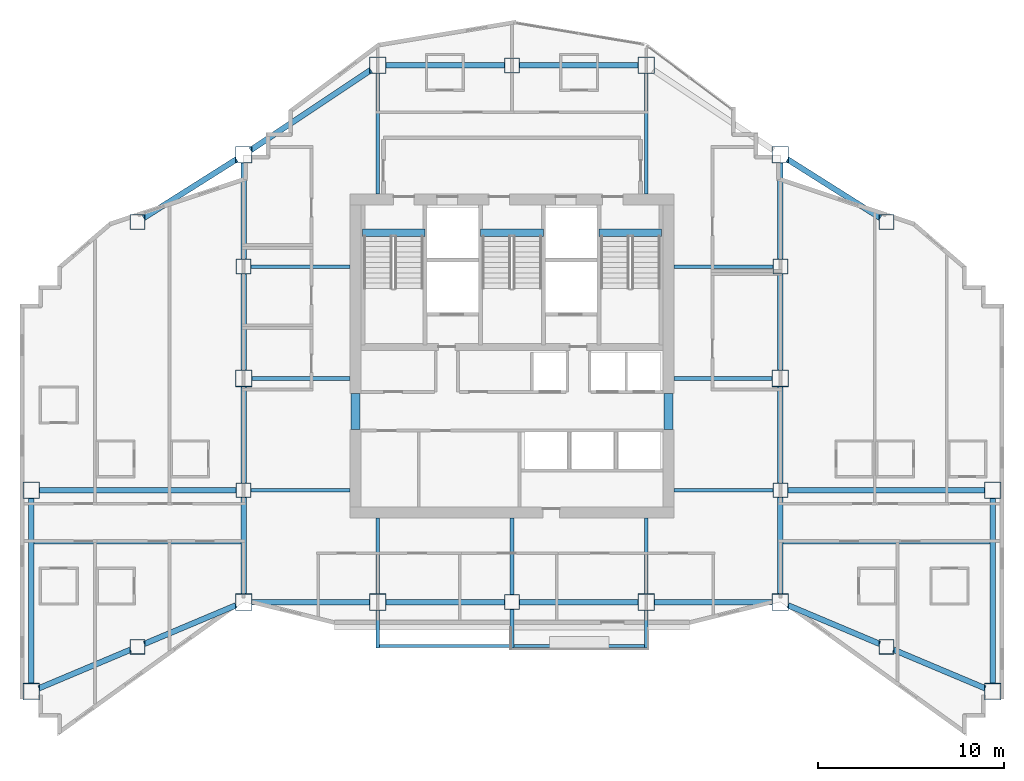
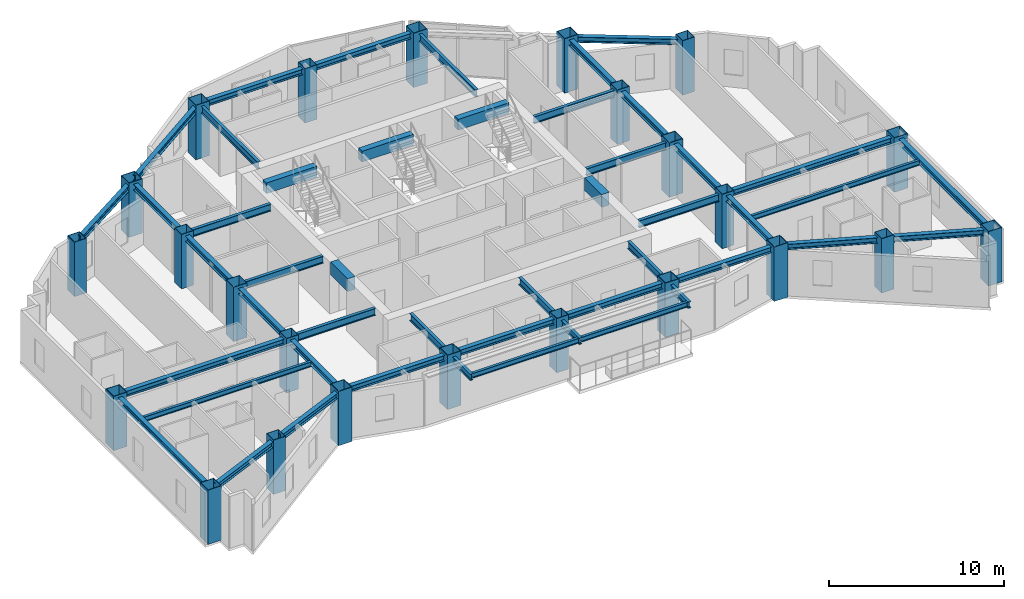
# One storey, part 1 of 11: 48 beams, 24 columns.
"""IFC4 building model written with IfcOpenShell, lengths in metres."""

import ifcopenshell
import ifcopenshell.guid

model = None  # the IFC model being written
_history = None  # IfcOwnerHistory: only IFC2X3 demands one
_inside = {}  # id of a spatial element -> (the spatial element, [elements in it])
_under = {}  # id of a project, library or spatial element -> (it, [spatial elements below it])
_declared = {}  # id of a project -> (the project, [libraries it declares])
_typed = {}  # id of a type object -> (the type object, [elements of that type])
_made_of = {}  # id of a material, layer set ... -> (it, [elements and type objects made of it])


def new_model(schema):
    """Start an empty IFC model of exactly this schema.

    Asked for "IFC4X3", IfcOpenShell would pick the latest addendum, in which some entities
    have other attributes; the version numbers below select the first issue.
    IFC2X3 requires an IfcOwnerHistory on every rooted entity: one is made here for all.
    """
    global model, _history
    if schema == "IFC4X3":
        model = ifcopenshell.file(schema_version=(4, 3, 0, 0))
    else:
        model = ifcopenshell.file(schema=schema)
    _inside.clear()
    _under.clear()
    _declared.clear()
    _typed.clear()
    _made_of.clear()
    _history = None
    if model.schema == "IFC2X3":
        org = make("IfcOrganization", Name="unknown")
        user = make(
            "IfcPersonAndOrganization",
            ThePerson=make("IfcPerson", FamilyName="unknown"),
            TheOrganization=org,
        )
        app = make(
            "IfcApplication",
            ApplicationDeveloper=org,
            Version="unknown",
            ApplicationFullName="unknown",
            ApplicationIdentifier="unknown",
        )
        _history = make(
            "IfcOwnerHistory",
            OwningUser=user,
            OwningApplication=app,
            ChangeAction="ADDED",
            CreationDate=0,
        )
    return model


def make(cls, **values):
    """One entity of the class cls with the attributes given. An attribute that is None is left unset."""
    return model.create_entity(
        cls, **{name: value for name, value in values.items() if value is not None}
    )


def rooted(cls, **values):
    """An entity with a GlobalId (a new one), such as an element, a storey or a relation."""
    return make(cls, GlobalId=ifcopenshell.guid.new(), OwnerHistory=_history, **values)


def si_unit(unit_type, name, prefix=None):
    """IfcSIUnit, for example si_unit("LENGTHUNIT", "METRE", prefix="MILLI")."""
    return make("IfcSIUnit", UnitType=unit_type, Prefix=prefix, Name=name)


def assignment(units):
    """IfcUnitAssignment: the units of a project."""
    return None if units is None else make("IfcUnitAssignment", Units=units)


def point(xyz):
    """IfcCartesianPoint."""
    return None if xyz is None else make("IfcCartesianPoint", Coordinates=xyz)


def direction(xyz):
    """IfcDirection."""
    return None if xyz is None else make("IfcDirection", DirectionRatios=xyz)


def frame(location, z_axis=None, x_axis=None):
    """IfcAxis2Placement3D, a coordinate frame: its origin and axes. An axis left out is left unset."""
    return make(
        "IfcAxis2Placement3D",
        Location=point(location),
        Axis=direction(z_axis),
        RefDirection=direction(x_axis),
    )


def frame_2d(location, x_axis=None):
    """IfcAxis2Placement2D, a coordinate frame in the plane: its origin and x axis."""
    return make(
        "IfcAxis2Placement2D", Location=point(location), RefDirection=direction(x_axis)
    )


def origin():
    """The frame at (0, 0, 0) with its axes left unset."""
    return frame((0.0, 0.0, 0.0))


def origin_2d():
    """The frame at (0, 0) in the plane with its x axis left unset."""
    return frame_2d((0.0, 0.0))


def place(relative_to, where):
    """IfcLocalPlacement: puts the frame where relative to a parent placement (None: the world)."""
    return make(
        "IfcLocalPlacement", PlacementRelTo=relative_to, RelativePlacement=where
    )


def context(
    kind, dimensions, precision=None, world=None, true_north=None, identifier=None
):
    """IfcGeometricRepresentationContext, for example the 3D "Model" context."""
    return make(
        "IfcGeometricRepresentationContext",
        ContextIdentifier=identifier,
        ContextType=kind,
        CoordinateSpaceDimension=dimensions,
        Precision=precision,
        WorldCoordinateSystem=world,
        TrueNorth=true_north,
    )


def subcontext(parent, identifier, kind, view, scale=None):
    """IfcGeometricRepresentationSubContext, for example "Body" below "Model"."""
    return make(
        "IfcGeometricRepresentationSubContext",
        ContextIdentifier=identifier,
        ContextType=kind,
        ParentContext=parent,
        TargetScale=scale,
        TargetView=view,
    )


def project(units=None, contexts=None):
    """IfcProject with its units and contexts."""
    return rooted(
        "IfcProject",
        Name="project",
        RepresentationContexts=contexts,
        UnitsInContext=assignment(units),
    )


def spatial(cls, under=None, at=None, **own):
    """A site, building, storey or space (cls), placed at a placement, below another one or the project."""
    s = rooted(cls, ObjectPlacement=at, **own)
    if under is not None:
        _under.setdefault(under.id(), (under, []))[1].append(s)
    return s


def profile(cls, at=None, kind="AREA", **sizes):
    """A parametric profile (cls). Its sizes go by their IFC names, for example OverallWidth=200.0."""
    return make(cls, ProfileType=kind, Position=at, **sizes)


def rectangle(**sizes):
    """IfcRectangleProfileDef."""
    return profile("IfcRectangleProfileDef", **sizes)


def hollow_rectangle(**sizes):
    """IfcRectangleHollowProfileDef."""
    return profile("IfcRectangleHollowProfileDef", **sizes)


def i_section(**sizes):
    """IfcIShapeProfileDef."""
    return profile("IfcIShapeProfileDef", **sizes)


def extrude(swept, where, along, depth):
    """IfcExtrudedAreaSolid: the profile swept, set in the frame where, extruded along a direction by depth."""
    return make(
        "IfcExtrudedAreaSolid",
        SweptArea=swept,
        Position=where,
        ExtrudedDirection=direction(along),
        Depth=depth,
    )


def shape(context_of_items, identifier, shape_type, items):
    """IfcShapeRepresentation: the items that make up one representation, for example the "Body"."""
    return make(
        "IfcShapeRepresentation",
        ContextOfItems=context_of_items,
        RepresentationIdentifier=identifier,
        RepresentationType=shape_type,
        Items=items,
    )


def material(Name=None, Category=None):
    """IfcMaterial."""
    return make("IfcMaterial", Name=Name, Category=Category)


def material_profile(
    of_material, cross_section, Name=None, Category=None, Priority=None
):
    """IfcMaterialProfile: a cross section and its material."""
    return make(
        "IfcMaterialProfile",
        Name=Name,
        Material=of_material,
        Profile=cross_section,
        Priority=Priority,
        Category=Category,
    )


def profile_set(profiles, Name=None, composite=None):
    """IfcMaterialProfileSet."""
    return make(
        "IfcMaterialProfileSet",
        Name=Name,
        MaterialProfiles=profiles,
        CompositeProfile=composite,
    )


def made_of(thing, what):
    """Note that an element or type object is made of a material, layer set ...; save() writes the relation."""
    if what is not None:
        _made_of.setdefault(what.id(), (what, []))[1].append(thing)
    return thing


def type_object(cls, material=None, **own):
    """A type object (cls), such as IfcWallType, which elements share."""
    return made_of(rooted(cls, **own), material)


def element(
    cls,
    number,
    at=None,
    inside=None,
    cuts=None,
    type_object=None,
    material=None,
    context=None,
    identifier="Body",
    shape_type=None,
    held_by="IfcProductDefinitionShape",
    body=None,
    shapes=None,
    **own,
):
    """One element of the class cls, such as IfcWall. Its Tag is "e" and its number.

    at: its placement. inside: the storey or other place that contains it. cuts: it is an
    opening in that element (IfcRelVoidsElement). A single representation is given by context,
    identifier, shape_type and body (its items); several are given by shapes. held_by: the class
    of the entity that holds the representations. save() writes the other relations.
    """
    e = rooted(cls, Tag="e%d" % number, ObjectPlacement=at, **own)
    if body is not None:
        shapes = [shape(context, identifier, shape_type, body)]
    if shapes is not None:
        e.Representation = make(held_by, Representations=shapes)
    if inside is not None:
        _inside.setdefault(inside.id(), (inside, []))[1].append(e)
    if cuts is not None:
        rooted(
            "IfcRelVoidsElement", RelatingBuildingElement=cuts, RelatedOpeningElement=e
        )
    if type_object is not None:
        _typed.setdefault(type_object.id(), (type_object, []))[1].append(e)
    return made_of(e, material)


def aggregate(whole, parts):
    """IfcRelAggregates: a whole, such as a stair, and the parts it consists of."""
    return rooted("IfcRelAggregates", RelatingObject=whole, RelatedObjects=parts)


def save(model, path):
    """Write the relations noted so far, then the file.

    IfcRelAggregates (storeys below a building ...), IfcRelContainedInSpatialStructure (elements
    in a storey), IfcRelDefinesByType, IfcRelAssociatesMaterial and IfcRelDeclares: one each for
    every whole, place, type object, material and project.
    """
    for whole, parts in _under.values():
        aggregate(whole, parts)
    for where, things in _inside.values():
        rooted(
            "IfcRelContainedInSpatialStructure",
            RelatedElements=things,
            RelatingStructure=where,
        )
    for kind, things in _typed.values():
        rooted("IfcRelDefinesByType", RelatedObjects=things, RelatingType=kind)
    for what, things in _made_of.values():
        rooted("IfcRelAssociatesMaterial", RelatedObjects=things, RelatingMaterial=what)
    for by, libraries in _declared.values():
        rooted("IfcRelDeclares", RelatingContext=by, RelatedDefinitions=libraries)
    model.write(path)


model = new_model("IFC4")

# Units and contexts
model_context = context("Model", 3, precision=1e-05, world=origin(), true_north=direction((0.0, 1.0)))
body_context = subcontext(model_context, "Body", "Model", "MODEL_VIEW")
ifc_project = project(units=[si_unit("LENGTHUNIT", "METRE"), si_unit("AREAUNIT", "SQUARE_METRE"), si_unit("VOLUMEUNIT", "CUBIC_METRE"), si_unit("PLANEANGLEUNIT", "RADIAN"), si_unit("MASSUNIT", "GRAM", prefix="KILO")], contexts=[model_context])

# Site, building, storey
site_placement = place(None, origin())
site = spatial("IfcSite", under=ifc_project, at=site_placement, CompositionType="ELEMENT")
building_placement = place(site_placement, origin())
building = spatial("IfcBuilding", under=site, at=building_placement, Name="Haolan Belvedere Tower", CompositionType="ELEMENT")
storey_placement = place(building_placement, frame((0.0, 0.0, 211.60009765625)))
storey = spatial("IfcBuildingStorey", under=building, at=storey_placement, Name="L53", CompositionType="ELEMENT", Elevation=211.60009765625)

# Columns
ifc_material_1 = material(Name="Steel Q390GJC", Category="steel")
ifc_material_profile_1 = material_profile(ifc_material_1, hollow_rectangle(XDim=0.800048828125, YDim=0.800048828125, WallThickness=0.030029296875, at=origin_2d()), Name="Steel Q390GJC")
ifc_profile_set_1 = profile_set([ifc_material_profile_1], Name="Steel Q390GJC")
column_type_1 = type_object("IfcColumnType", Name="COL-BOX800x800x30", PredefinedType="COLUMN", material=ifc_profile_set_1)
for number, where, z_axis, x_axis, name in (
    (1, (24.0, 27.60009765625, 0.0), (0.0, 0.0, 1.0), (1.0, 0.0, 0.0), "L53 column TC-T3-W1 (BOX800x800x30)"),
    (2, (24.0, 39.60009765625, 0.0), (0.0, 0.0, 1.0), (1.0, 0.0, 0.0), "L53 column TC-T3-W2 (BOX800x800x30)"),
    (3, (52.800048828125, 27.60009765625, 0.0), (0.0, 0.0, 1.0), (1.0, 0.0, 0.0), "L53 column TC-T3-E1 (BOX800x800x30)"),
    (4, (52.800048828125, 39.60009765625, 0.0), (0.0, 0.0, 1.0), (1.0, 0.0, 0.0), "L53 column TC-T3-E2 (BOX800x800x30)"),
    (5, (38.39990234375, 21.60009765625, 0.0), (0.0, 0.0, 1.0), (1.0, 0.0, 0.0), "L53 column TC-T3-SM (BOX800x800x30)"),
    (6, (38.39990234375, 50.39990234375, 0.0), (0.0, 0.0, 1.0), (1.0, 0.0, 0.0), "L53 column TC-T3-NM (BOX800x800x30)"),
    (7, (18.300048828125, 19.199951171875, 0.0), (0.0, 0.0, 1.0), (1.0, 0.0, 0.0), "L53 column TC-T2-S1 (BOX800x800x30)"),
    (8, (18.300048828125, 42.0, 0.0), (0.0, 0.0, 1.0), (1.0, 0.0, 0.0), "L53 column TC-T2-N1 (BOX800x800x30)"),
    (9, (58.5, 19.199951171875, 0.0), (0.0, 0.0, 1.0), (1.0, 0.0, 0.0), "L53 column TC-T4-S1 (BOX800x800x30)"),
    (10, (58.5, 42.0, 0.0), (0.0, 0.0, 1.0), (1.0, 0.0, 0.0), "L53 column TC-T4-N1 (BOX800x800x30)"),
):
    element("IfcColumn", number, at=place(storey_placement, frame(where, z_axis=z_axis, x_axis=x_axis)), inside=storey, type_object=column_type_1, Name=name, PredefinedType="COLUMN", context=body_context, shape_type="SweptSolid", body=[
        extrude(hollow_rectangle(XDim=0.800048828125, YDim=0.800048828125, WallThickness=0.030029296875, at=origin_2d()), origin(), (0.0, 0.0, 1.0), 3.7998046875),
    ])
ifc_material_profile_2 = material_profile(ifc_material_1, hollow_rectangle(XDim=0.89990234375, YDim=0.89990234375, WallThickness=0.033935546875, at=origin_2d()), Name="Steel Q390GJC")
ifc_profile_set_2 = profile_set([ifc_material_profile_2], Name="Steel Q390GJC")
column_type_2 = type_object("IfcColumnType", Name="COL-BOX900x900x34", PredefinedType="COLUMN", material=ifc_profile_set_2)
for number, where, z_axis, x_axis, name in (
    (11, (24.0, 21.60009765625, 0.0), (0.0, 0.0, 1.0), (1.0, 0.0, 0.0), "L53 column MC-T3-SW (BOX900x900x34)"),
    (12, (24.0, 33.60009765625, 0.0), (0.0, 0.0, 1.0), (1.0, 0.0, 0.0), "L53 column MC-T3-MW (BOX900x900x34)"),
    (13, (24.0, 45.60009765625, 0.0), (0.0, 0.0, 1.0), (1.0, 0.0, 0.0), "L53 column MC-T3-NW (BOX900x900x34)"),
    (14, (52.800048828125, 21.60009765625, 0.0), (0.0, 0.0, 1.0), (1.0, 0.0, 0.0), "L53 column MC-T3-SE (BOX900x900x34)"),
    (15, (52.800048828125, 33.60009765625, 0.0), (0.0, 0.0, 1.0), (1.0, 0.0, 0.0), "L53 column MC-T3-ME (BOX900x900x34)"),
    (16, (52.800048828125, 45.60009765625, 0.0), (0.0, 0.0, 1.0), (1.0, 0.0, 0.0), "L53 column MC-T3-NE (BOX900x900x34)"),
    (17, (31.199951171875, 21.60009765625, 0.0), (0.0, 0.0, 1.0), (1.0, 0.0, 0.0), "L53 column MC-T3-S1 (BOX900x900x34)"),
    (18, (45.60009765625, 21.60009765625, 0.0), (0.0, 0.0, 1.0), (1.0, 0.0, 0.0), "L53 column MC-T3-S2 (BOX900x900x34)"),
    (19, (31.199951171875, 50.39990234375, 0.0), (0.0, 0.0, 1.0), (1.0, 0.0, 0.0), "L53 column MC-T3-N1 (BOX900x900x34)"),
    (20, (45.60009765625, 50.39990234375, 0.0), (0.0, 0.0, 1.0), (1.0, 0.0, 0.0), "L53 column MC-T3-N2 (BOX900x900x34)"),
    (21, (12.60009765625, 16.800048828125, 0.0), (0.0, 0.0, 1.0), (1.0, 0.0, 0.0), "L53 column MC-T2-SW (BOX900x900x34)"),
    (22, (12.60009765625, 27.60009765625, 0.0), (0.0, 0.0, 1.0), (1.0, 0.0, 0.0), "L53 column MC-T2-MW (BOX900x900x34)"),
    (23, (64.199951171875, 16.800048828125, 0.0), (0.0, 0.0, 1.0), (1.0, 0.0, 0.0), "L53 column MC-T4-SE (BOX900x900x34)"),
    (24, (64.199951171875, 27.60009765625, 0.0), (0.0, 0.0, 1.0), (1.0, 0.0, 0.0), "L53 column MC-T4-ME (BOX900x900x34)"),
):
    element("IfcColumn", number, at=place(storey_placement, frame(where, z_axis=z_axis, x_axis=x_axis)), inside=storey, type_object=column_type_2, Name=name, PredefinedType="COLUMN", context=body_context, shape_type="SweptSolid", body=[
        extrude(hollow_rectangle(XDim=0.89990234375, YDim=0.89990234375, WallThickness=0.033935546875, at=origin_2d()), origin(), (0.0, 0.0, 1.0), 3.7998046875),
    ])

# Beams
ifc_material_2 = material(Name="Steel Q355B", Category="steel")
ifc_material_profile_3 = material_profile(ifc_material_2, i_section(OverallWidth=0.300048828125, OverallDepth=0.389892578125, WebThickness=0.010009765625, FlangeThickness=0.01611328125, FilletRadius=0.02197265625, at=origin_2d()), Name="Steel Q355B")
ifc_profile_set_3 = profile_set([ifc_material_profile_3], Name="Steel Q355B")
beam_type_1 = type_object("IfcBeamType", Name="BM-HM390x300x10x16", PredefinedType="SPANDREL", material=ifc_profile_set_3)
for number, where, z_axis, x_axis, name in (
    (25, (24.0, 22.050048828125, 3.4248046875), (0.0, 1.0, 0.0), (-1.0, 0.0, 0.0), "L53 spandrel girder MC-T3-SW-TC-T3-W1"),
    (26, (24.0, 28.0, 3.4248046875), (0.0, 1.0, 0.0), (-1.0, 0.0, 0.0), "L53 spandrel girder TC-T3-W1-MC-T3-MW"),
    (27, (24.0, 34.050048828125, 3.4248046875), (0.0, 1.0, 0.0), (-1.0, 0.0, 0.0), "L53 spandrel girder MC-T3-MW-TC-T3-W2"),
    (28, (24.0, 40.0, 3.4248046875), (0.0, 1.0, 0.0), (-1.0, 0.0, 0.0), "L53 spandrel girder TC-T3-W2-MC-T3-NW"),
    (29, (52.800048828125, 22.050048828125, 3.4248046875), (0.0, 1.0, 0.0), (-1.0, 0.0, 0.0), "L53 spandrel girder MC-T3-SE-TC-T3-E1"),
    (30, (52.800048828125, 28.0, 3.4248046875), (0.0, 1.0, 0.0), (-1.0, 0.0, 0.0), "L53 spandrel girder TC-T3-E1-MC-T3-ME"),
    (31, (52.800048828125, 34.050048828125, 3.4248046875), (0.0, 1.0, 0.0), (-1.0, 0.0, 0.0), "L53 spandrel girder MC-T3-ME-TC-T3-E2"),
    (32, (52.800048828125, 40.0, 3.4248046875), (0.0, 1.0, 0.0), (-1.0, 0.0, 0.0), "L53 spandrel girder TC-T3-E2-MC-T3-NE"),
):
    element("IfcBeam", number, at=place(storey_placement, frame(where, z_axis=z_axis, x_axis=x_axis)), inside=storey, type_object=beam_type_1, Name=name, PredefinedType="SPANDREL", context=body_context, shape_type="SweptSolid", body=[
        extrude(i_section(OverallWidth=0.300048828125, OverallDepth=0.389892578125, WebThickness=0.010009765625, FlangeThickness=0.01611328125, FilletRadius=0.02197265625, at=origin_2d()), origin(), (0.0, 0.0, 1.0), 5.14990234375),
    ])
beam_1_placement = place(storey_placement, frame((24.449951171875, 21.60009765625, 3.4248046875), z_axis=(1.0, 0.0, 0.0), x_axis=(0.0, 1.0, 0.0)))
element("IfcBeam", 33, at=beam_1_placement, inside=storey, type_object=beam_type_1, Name="L53 spandrel girder MC-T3-SW-MC-T3-S1", PredefinedType="SPANDREL", context=body_context, shape_type="SweptSolid", body=[
    extrude(i_section(OverallWidth=0.300048828125, OverallDepth=0.389892578125, WebThickness=0.010009765625, FlangeThickness=0.01611328125, FilletRadius=0.02197265625, at=origin_2d()), origin(), (0.0, 0.0, 1.0), 6.300048828125),
])
beam_2_placement = place(storey_placement, frame((31.64990234375, 21.60009765625, 3.4248046875), z_axis=(1.0, 0.0, 0.0), x_axis=(0.0, 1.0, 0.0)))
element("IfcBeam", 34, at=beam_2_placement, inside=storey, type_object=beam_type_1, Name="L53 spandrel girder MC-T3-S1-TC-T3-SM", PredefinedType="SPANDREL", context=body_context, shape_type="SweptSolid", body=[
    extrude(i_section(OverallWidth=0.300048828125, OverallDepth=0.389892578125, WebThickness=0.010009765625, FlangeThickness=0.01611328125, FilletRadius=0.02197265625, at=origin_2d()), origin(), (0.0, 0.0, 1.0), 6.35009765625),
])
beam_3_placement = place(storey_placement, frame((38.800048828125, 21.60009765625, 3.4248046875), z_axis=(1.0, 0.0, 0.0), x_axis=(0.0, 1.0, 0.0)))
element("IfcBeam", 35, at=beam_3_placement, inside=storey, type_object=beam_type_1, Name="L53 spandrel girder TC-T3-SM-MC-T3-S2", PredefinedType="SPANDREL", context=body_context, shape_type="SweptSolid", body=[
    extrude(i_section(OverallWidth=0.300048828125, OverallDepth=0.389892578125, WebThickness=0.010009765625, FlangeThickness=0.01611328125, FilletRadius=0.02197265625, at=origin_2d()), origin(), (0.0, 0.0, 1.0), 6.349853515625),
])
beam_4_placement = place(storey_placement, frame((46.050048828125, 21.60009765625, 3.4248046875), z_axis=(1.0, 0.0, 0.0), x_axis=(0.0, 1.0, 0.0)))
element("IfcBeam", 36, at=beam_4_placement, inside=storey, type_object=beam_type_1, Name="L53 spandrel girder MC-T3-S2-MC-T3-SE", PredefinedType="SPANDREL", context=body_context, shape_type="SweptSolid", body=[
    extrude(i_section(OverallWidth=0.300048828125, OverallDepth=0.389892578125, WebThickness=0.010009765625, FlangeThickness=0.01611328125, FilletRadius=0.02197265625, at=origin_2d()), origin(), (0.0, 0.0, 1.0), 6.300048828125),
])
beam_5_placement = place(storey_placement, frame((24.37451171875, 45.849609375, 3.4248046875), z_axis=(0.832050294338, 0.554700196225, 0.0), x_axis=(-0.554700196225, 0.832050294338, 0.0)))
element("IfcBeam", 37, at=beam_5_placement, inside=storey, type_object=beam_type_1, Name="L53 spandrel girder MC-T3-NW-MC-T3-N1", PredefinedType="SPANDREL", context=body_context, shape_type="SweptSolid", body=[
    extrude(i_section(OverallWidth=0.300048828125, OverallDepth=0.389892578125, WebThickness=0.010009765625, FlangeThickness=0.01611328125, FilletRadius=0.02197265625, at=origin_2d()), origin(), (0.0, 0.0, 1.0), 7.75341796875),
])
beam_6_placement = place(storey_placement, frame((31.64990234375, 50.39990234375, 3.4248046875), z_axis=(1.0, 0.0, 0.0), x_axis=(0.0, 1.0, 0.0)))
element("IfcBeam", 38, at=beam_6_placement, inside=storey, type_object=beam_type_1, Name="L53 spandrel girder MC-T3-N1-TC-T3-NM", PredefinedType="SPANDREL", context=body_context, shape_type="SweptSolid", body=[
    extrude(i_section(OverallWidth=0.300048828125, OverallDepth=0.389892578125, WebThickness=0.010009765625, FlangeThickness=0.01611328125, FilletRadius=0.02197265625, at=origin_2d()), origin(), (0.0, 0.0, 1.0), 6.35009765625),
])
beam_7_placement = place(storey_placement, frame((38.800048828125, 50.39990234375, 3.4248046875), z_axis=(1.0, 0.0, 0.0), x_axis=(0.0, 1.0, 0.0)))
element("IfcBeam", 39, at=beam_7_placement, inside=storey, type_object=beam_type_1, Name="L53 spandrel girder TC-T3-NM-MC-T3-N2", PredefinedType="SPANDREL", context=body_context, shape_type="SweptSolid", body=[
    extrude(i_section(OverallWidth=0.300048828125, OverallDepth=0.389892578125, WebThickness=0.010009765625, FlangeThickness=0.01611328125, FilletRadius=0.02197265625, at=origin_2d()), origin(), (0.0, 0.0, 1.0), 6.349853515625),
])
beam_8_placement = place(storey_placement, frame((12.60009765625, 17.25, 3.4248046875), z_axis=(0.0, 1.0, 0.0), x_axis=(-1.0, 0.0, 0.0)))
element("IfcBeam", 40, at=beam_8_placement, inside=storey, type_object=beam_type_1, Name="L53 spandrel girder MC-T2-SW-MC-T2-MW", PredefinedType="SPANDREL", context=body_context, shape_type="SweptSolid", body=[
    extrude(i_section(OverallWidth=0.300048828125, OverallDepth=0.389892578125, WebThickness=0.010009765625, FlangeThickness=0.01611328125, FilletRadius=0.02197265625, at=origin_2d()), origin(), (0.0, 0.0, 1.0), 9.89990234375),
])
beam_9_placement = place(storey_placement, frame((13.0146484375, 16.974609375, 3.4248046875), z_axis=(0.921644850741, 0.388034494733, 0.0), x_axis=(-0.388034494733, 0.921644850741, 0.0)))
element("IfcBeam", 41, at=beam_9_placement, inside=storey, type_object=beam_type_1, Name="L53 spandrel girder MC-T2-SW-TC-T2-S1", PredefinedType="SPANDREL", context=body_context, shape_type="SweptSolid", body=[
    extrude(i_section(OverallWidth=0.300048828125, OverallDepth=0.389892578125, WebThickness=0.010009765625, FlangeThickness=0.01611328125, FilletRadius=0.02197265625, at=origin_2d()), origin(), (0.0, 0.0, 1.0), 5.334716796875),
])
beam_10_placement = place(storey_placement, frame((18.668701171875, 19.355224609375, 3.4248046875), z_axis=(0.921637959557, 0.388050862006, 0.0), x_axis=(-0.388050862006, 0.921637959557, 0.0)))
element("IfcBeam", 42, at=beam_10_placement, inside=storey, type_object=beam_type_1, Name="L53 spandrel girder TC-T2-S1-MC-T3-SW", PredefinedType="SPANDREL", context=body_context, shape_type="SweptSolid", body=[
    extrude(i_section(OverallWidth=0.300048828125, OverallDepth=0.389892578125, WebThickness=0.010009765625, FlangeThickness=0.01611328125, FilletRadius=0.02197265625, at=origin_2d()), origin(), (0.0, 0.0, 1.0), 5.33447265625),
])
beam_11_placement = place(storey_placement, frame((18.63818359375, 42.213623046875, 3.4248046875), z_axis=(0.845502688092, 0.533971164417, 0.0), x_axis=(-0.533971164417, 0.845502688092, 0.0)))
element("IfcBeam", 43, at=beam_11_placement, inside=storey, type_object=beam_type_1, Name="L53 spandrel girder TC-T2-N1-MC-T3-NW", PredefinedType="SPANDREL", context=body_context, shape_type="SweptSolid", body=[
    extrude(i_section(OverallWidth=0.300048828125, OverallDepth=0.389892578125, WebThickness=0.010009765625, FlangeThickness=0.01611328125, FilletRadius=0.02197265625, at=origin_2d()), origin(), (0.0, 0.0, 1.0), 5.8916015625),
])
beam_12_placement = place(storey_placement, frame((13.050048828125, 27.60009765625, 3.4248046875), z_axis=(1.0, 0.0, 0.0), x_axis=(0.0, 1.0, 0.0)))
element("IfcBeam", 44, at=beam_12_placement, inside=storey, type_object=beam_type_1, Name="L53 spandrel girder MC-T2-MW-TC-T3-W1", PredefinedType="SPANDREL", context=body_context, shape_type="SweptSolid", body=[
    extrude(i_section(OverallWidth=0.300048828125, OverallDepth=0.389892578125, WebThickness=0.010009765625, FlangeThickness=0.01611328125, FilletRadius=0.02197265625, at=origin_2d()), origin(), (0.0, 0.0, 1.0), 10.550048828125),
])
beam_13_placement = place(storey_placement, frame((64.199951171875, 17.25, 3.4248046875), z_axis=(0.0, 1.0, 0.0), x_axis=(-1.0, 0.0, 0.0)))
element("IfcBeam", 45, at=beam_13_placement, inside=storey, type_object=beam_type_1, Name="L53 spandrel girder MC-T4-SE-MC-T4-ME", PredefinedType="SPANDREL", context=body_context, shape_type="SweptSolid", body=[
    extrude(i_section(OverallWidth=0.300048828125, OverallDepth=0.389892578125, WebThickness=0.010009765625, FlangeThickness=0.01611328125, FilletRadius=0.02197265625, at=origin_2d()), origin(), (0.0, 0.0, 1.0), 9.89990234375),
])
for number, where, z_axis, x_axis, name in (
    (46, (53.21484375, 21.42529296875, 3.4248046875), (0.921637959557, -0.388050862006, 0.0), (0.388050862006, 0.921637959557, 0.0), "L53 spandrel girder MC-T3-SE-TC-T4-S1"),
    (47, (58.86865234375, 19.044677734375, 3.4248046875), (0.921637959557, -0.388050862006, 0.0), (0.388050862006, 0.921637959557, 0.0), "L53 spandrel girder TC-T4-S1-MC-T4-SE"),
):
    element("IfcBeam", number, at=place(storey_placement, frame(where, z_axis=z_axis, x_axis=x_axis)), inside=storey, type_object=beam_type_1, Name=name, PredefinedType="SPANDREL", context=body_context, shape_type="SweptSolid", body=[
        extrude(i_section(OverallWidth=0.300048828125, OverallDepth=0.389892578125, WebThickness=0.010009765625, FlangeThickness=0.01611328125, FilletRadius=0.02197265625, at=origin_2d()), origin(), (0.0, 0.0, 1.0), 5.33447265625),
    ])
beam_14_placement = place(storey_placement, frame((53.180419921875, 45.359619140625, 3.4248046875), z_axis=(0.845502688092, -0.533971164417, 0.0), x_axis=(0.533971164417, 0.845502688092, 0.0)))
element("IfcBeam", 48, at=beam_14_placement, inside=storey, type_object=beam_type_1, Name="L53 spandrel girder MC-T3-NE-TC-T4-N1", PredefinedType="SPANDREL", context=body_context, shape_type="SweptSolid", body=[
    extrude(i_section(OverallWidth=0.300048828125, OverallDepth=0.389892578125, WebThickness=0.010009765625, FlangeThickness=0.01611328125, FilletRadius=0.02197265625, at=origin_2d()), origin(), (0.0, 0.0, 1.0), 5.8916015625),
])
beam_15_placement = place(storey_placement, frame((53.199951171875, 27.60009765625, 3.4248046875), z_axis=(1.0, 0.0, 0.0), x_axis=(0.0, 1.0, 0.0)))
element("IfcBeam", 49, at=beam_15_placement, inside=storey, type_object=beam_type_1, Name="L53 spandrel girder TC-T3-E1-MC-T4-ME", PredefinedType="SPANDREL", context=body_context, shape_type="SweptSolid", body=[
    extrude(i_section(OverallWidth=0.300048828125, OverallDepth=0.389892578125, WebThickness=0.010009765625, FlangeThickness=0.01611328125, FilletRadius=0.02197265625, at=origin_2d()), origin(), (0.0, 0.0, 1.0), 10.550048828125),
])
ifc_material_profile_4 = material_profile(ifc_material_2, i_section(OverallWidth=0.175048828125, OverallDepth=0.35009765625, WebThickness=0.007080078125, FlangeThickness=0.010986328125, FilletRadius=0.012939453125, at=origin_2d()), Name="Steel Q355B")
ifc_profile_set_4 = profile_set([ifc_material_profile_4], Name="Steel Q355B")
beam_type_2 = type_object("IfcBeamType", Name="BM-HN350x175x7x11", PredefinedType="JOIST", material=ifc_profile_set_4)
for number, where, z_axis, x_axis, name in (
    (50, (12.75, 24.800048828125, 3.44482421875), (1.0, 0.0, 0.0), (0.0, 1.0, 0.0), "L53 west wing floor joist 1"),
    (51, (52.949951171875, 24.800048828125, 3.44482421875), (1.0, 0.0, 0.0), (0.0, 1.0, 0.0), "L53 east wing floor joist 1"),
):
    element("IfcBeam", number, at=place(storey_placement, frame(where, z_axis=z_axis, x_axis=x_axis)), inside=storey, type_object=beam_type_2, Name=name, PredefinedType="JOIST", context=body_context, shape_type="SweptSolid", body=[
        extrude(i_section(OverallWidth=0.175048828125, OverallDepth=0.35009765625, WebThickness=0.007080078125, FlangeThickness=0.010986328125, FilletRadius=0.012939453125, at=origin_2d()), origin(), (0.0, 0.0, 1.0), 11.10009765625),
    ])
for number, where, z_axis, x_axis, name in (
    (52, (31.300048828125, 19.239990234375, 3.39501953125), (1.0, 0.0, 0.0), (0.0, 1.0, 0.0), "L54 tree-balcony front trimmer beam 1"),
    (53, (38.5, 19.239990234375, 3.39501953125), (1.0, 0.0, 0.0), (0.0, 1.0, 0.0), "L54 tree-balcony front trimmer beam 2"),
):
    element("IfcBeam", number, at=place(storey_placement, frame(where, z_axis=z_axis, x_axis=x_axis)), inside=storey, type_object=beam_type_2, Name=name, PredefinedType="BEAM", context=body_context, shape_type="SweptSolid", body=[
        extrude(i_section(OverallWidth=0.175048828125, OverallDepth=0.35009765625, WebThickness=0.007080078125, FlangeThickness=0.010986328125, FilletRadius=0.012939453125, at=origin_2d()), origin(), (0.0, 0.0, 1.0), 7.0),
    ])
ifc_material_profile_5 = material_profile(ifc_material_2, i_section(OverallWidth=0.199951171875, OverallDepth=0.449951171875, WebThickness=0.009033203125, FlangeThickness=0.013916015625, FilletRadius=0.01611328125, at=origin_2d()), Name="Steel Q355B")
ifc_profile_set_5 = profile_set([ifc_material_profile_5], Name="Steel Q355B")
beam_type_3 = type_object("IfcBeamType", Name="BM-HN450x200x9x14", PredefinedType="BEAM", material=ifc_profile_set_5)
beam_16_placement = place(storey_placement, frame((31.199951171875, 21.14990234375, 3.344970703125), z_axis=(0.0, -1.0, 0.0), x_axis=(1.0, 0.0, 0.0)))
element("IfcBeam", 54, at=beam_16_placement, inside=storey, type_object=beam_type_3, Name="L54 tree-balcony column cantilever MC-T3-S1", PredefinedType="BEAM", context=body_context, shape_type="SweptSolid", body=[
    extrude(i_section(OverallWidth=0.199951171875, OverallDepth=0.449951171875, WebThickness=0.009033203125, FlangeThickness=0.013916015625, FilletRadius=0.01611328125, at=origin_2d()), origin(), (0.0, 0.0, 1.0), 2.010009765625),
])
beam_17_placement = place(storey_placement, frame((38.39990234375, 21.199951171875, 3.344970703125), z_axis=(0.0, -1.0, 0.0), x_axis=(1.0, 0.0, 0.0)))
element("IfcBeam", 55, at=beam_17_placement, inside=storey, type_object=beam_type_3, Name="L54 tree-balcony column cantilever TC-T3-SM", PredefinedType="BEAM", context=body_context, shape_type="SweptSolid", body=[
    extrude(i_section(OverallWidth=0.199951171875, OverallDepth=0.449951171875, WebThickness=0.009033203125, FlangeThickness=0.013916015625, FilletRadius=0.01611328125, at=origin_2d()), origin(), (0.0, 0.0, 1.0), 2.06005859375),
])
beam_18_placement = place(storey_placement, frame((45.60009765625, 21.14990234375, 3.344970703125), z_axis=(0.0, -1.0, 0.0), x_axis=(1.0, 0.0, 0.0)))
element("IfcBeam", 56, at=beam_18_placement, inside=storey, type_object=beam_type_3, Name="L54 tree-balcony column cantilever MC-T3-S2", PredefinedType="BEAM", context=body_context, shape_type="SweptSolid", body=[
    extrude(i_section(OverallWidth=0.199951171875, OverallDepth=0.449951171875, WebThickness=0.009033203125, FlangeThickness=0.013916015625, FilletRadius=0.01611328125, at=origin_2d()), origin(), (0.0, 0.0, 1.0), 2.010009765625),
])
ifc_material_profile_6 = material_profile(ifc_material_2, i_section(OverallWidth=0.199951171875, OverallDepth=0.5, WebThickness=0.010009765625, FlangeThickness=0.01611328125, FilletRadius=0.02001953125, at=origin_2d()), Name="Steel Q355B")
ifc_profile_set_6 = profile_set([ifc_material_profile_6], Name="Steel Q355B")
beam_type_4 = type_object("IfcBeamType", Name="BM-HN500x200x10x16", PredefinedType="BEAM", material=ifc_profile_set_6)
beam_19_placement = place(storey_placement, frame((24.449951171875, 33.60009765625, 3.369873046875), z_axis=(1.0, 0.0, 0.0), x_axis=(0.0, 1.0, 0.0)))
element("IfcBeam", 57, at=beam_19_placement, inside=storey, type_object=beam_type_4, Name="L53 core tie beam from MC-T3-MW", PredefinedType="BEAM", context=body_context, shape_type="SweptSolid", body=[
    extrude(i_section(OverallWidth=0.199951171875, OverallDepth=0.5, WebThickness=0.010009765625, FlangeThickness=0.01611328125, FilletRadius=0.02001953125, at=origin_2d()), origin(), (0.0, 0.0, 1.0), 5.25),
])
for number, where, z_axis, x_axis, name in (
    (58, (24.39990234375, 27.60009765625, 3.369873046875), (1.0, 0.0, 0.0), (0.0, 1.0, 0.0), "L53 core tie beam from TC-T3-W1"),
    (59, (24.39990234375, 39.60009765625, 3.369873046875), (1.0, 0.0, 0.0), (0.0, 1.0, 0.0), "L53 core tie beam from TC-T3-W2"),
):
    element("IfcBeam", number, at=place(storey_placement, frame(where, z_axis=z_axis, x_axis=x_axis)), inside=storey, type_object=beam_type_4, Name=name, PredefinedType="BEAM", context=body_context, shape_type="SweptSolid", body=[
        extrude(i_section(OverallWidth=0.199951171875, OverallDepth=0.5, WebThickness=0.010009765625, FlangeThickness=0.01611328125, FilletRadius=0.02001953125, at=origin_2d()), origin(), (0.0, 0.0, 1.0), 5.300048828125),
    ])
beam_20_placement = place(storey_placement, frame((52.35009765625, 33.60009765625, 3.369873046875), z_axis=(-1.0, 0.0, 0.0), x_axis=(0.0, -1.0, 0.0)))
element("IfcBeam", 60, at=beam_20_placement, inside=storey, type_object=beam_type_4, Name="L53 core tie beam from MC-T3-ME", PredefinedType="BEAM", context=body_context, shape_type="SweptSolid", body=[
    extrude(i_section(OverallWidth=0.199951171875, OverallDepth=0.5, WebThickness=0.010009765625, FlangeThickness=0.01611328125, FilletRadius=0.02001953125, at=origin_2d()), origin(), (0.0, 0.0, 1.0), 5.25),
])
for number, where, z_axis, x_axis, name in (
    (61, (52.39990234375, 27.60009765625, 3.369873046875), (-1.0, 0.0, 0.0), (0.0, -1.0, 0.0), "L53 core tie beam from TC-T3-E1"),
    (62, (52.39990234375, 39.60009765625, 3.369873046875), (-1.0, 0.0, 0.0), (0.0, -1.0, 0.0), "L53 core tie beam from TC-T3-E2"),
):
    element("IfcBeam", number, at=place(storey_placement, frame(where, z_axis=z_axis, x_axis=x_axis)), inside=storey, type_object=beam_type_4, Name=name, PredefinedType="BEAM", context=body_context, shape_type="SweptSolid", body=[
        extrude(i_section(OverallWidth=0.199951171875, OverallDepth=0.5, WebThickness=0.010009765625, FlangeThickness=0.01611328125, FilletRadius=0.02001953125, at=origin_2d()), origin(), (0.0, 0.0, 1.0), 5.2998046875),
    ])
beam_21_placement = place(storey_placement, frame((31.199951171875, 22.050048828125, 3.369873046875), z_axis=(0.0, 1.0, 0.0), x_axis=(-1.0, 0.0, 0.0)))
element("IfcBeam", 63, at=beam_21_placement, inside=storey, type_object=beam_type_4, Name="L53 core tie beam from MC-T3-S1", PredefinedType="BEAM", context=body_context, shape_type="SweptSolid", body=[
    extrude(i_section(OverallWidth=0.199951171875, OverallDepth=0.5, WebThickness=0.010009765625, FlangeThickness=0.01611328125, FilletRadius=0.02001953125, at=origin_2d()), origin(), (0.0, 0.0, 1.0), 4.050048828125),
])
beam_22_placement = place(storey_placement, frame((38.39990234375, 22.0, 3.369873046875), z_axis=(0.0, 1.0, 0.0), x_axis=(-1.0, 0.0, 0.0)))
element("IfcBeam", 64, at=beam_22_placement, inside=storey, type_object=beam_type_4, Name="L53 core tie beam from TC-T3-SM", PredefinedType="BEAM", context=body_context, shape_type="SweptSolid", body=[
    extrude(i_section(OverallWidth=0.199951171875, OverallDepth=0.5, WebThickness=0.010009765625, FlangeThickness=0.01611328125, FilletRadius=0.02001953125, at=origin_2d()), origin(), (0.0, 0.0, 1.0), 4.10009765625),
])
beam_23_placement = place(storey_placement, frame((45.60009765625, 22.050048828125, 3.369873046875), z_axis=(0.0, 1.0, 0.0), x_axis=(-1.0, 0.0, 0.0)))
element("IfcBeam", 65, at=beam_23_placement, inside=storey, type_object=beam_type_4, Name="L53 core tie beam from MC-T3-S2", PredefinedType="BEAM", context=body_context, shape_type="SweptSolid", body=[
    extrude(i_section(OverallWidth=0.199951171875, OverallDepth=0.5, WebThickness=0.010009765625, FlangeThickness=0.01611328125, FilletRadius=0.02001953125, at=origin_2d()), origin(), (0.0, 0.0, 1.0), 4.050048828125),
])
for number, where, z_axis, x_axis, name in (
    (66, (31.199951171875, 49.949951171875, 3.369873046875), (0.0, -1.0, 0.0), (1.0, 0.0, 0.0), "L53 core tie beam from MC-T3-N1"),
    (67, (45.60009765625, 49.949951171875, 3.369873046875), (0.0, -1.0, 0.0), (1.0, 0.0, 0.0), "L53 core tie beam from MC-T3-N2"),
):
    element("IfcBeam", number, at=place(storey_placement, frame(where, z_axis=z_axis, x_axis=x_axis)), inside=storey, type_object=beam_type_4, Name=name, PredefinedType="BEAM", context=body_context, shape_type="SweptSolid", body=[
        extrude(i_section(OverallWidth=0.199951171875, OverallDepth=0.5, WebThickness=0.010009765625, FlangeThickness=0.01611328125, FilletRadius=0.02001953125, at=origin_2d()), origin(), (0.0, 0.0, 1.0), 6.449951171875),
    ])
ifc_material_3 = material(Name="Concrete C50/60", Category="concrete")
ifc_material_profile_7 = material_profile(ifc_material_3, rectangle(XDim=0.39990234375, YDim=0.75, at=origin_2d()), Name="Concrete C50/60")
ifc_profile_set_7 = profile_set([ifc_material_profile_7], Name="Concrete C50/60")
beam_type_5 = type_object("IfcBeamType", Name="BM-RC400x750", PredefinedType="T_BEAM", material=ifc_profile_set_7)
beam_24_placement = place(storey_placement, frame((30.3798828125, 41.429931640625, 3.4248046875), z_axis=(1.0, 0.0, 0.0), x_axis=(0.0, 1.0, 0.0)))
element("IfcBeam", 68, at=beam_24_placement, inside=storey, type_object=beam_type_5, Name="L54 stair ST1 RC header trimmer beam", PredefinedType="BEAM", context=body_context, shape_type="SweptSolid", body=[
    extrude(rectangle(XDim=0.39990234375, YDim=0.75, at=origin_2d()), origin(), (0.0, 0.0, 1.0), 3.360107421875),
])
beam_25_placement = place(storey_placement, frame((36.699951171875, 41.429931640625, 3.4248046875), z_axis=(1.0, 0.0, 0.0), x_axis=(0.0, 1.0, 0.0)))
element("IfcBeam", 69, at=beam_25_placement, inside=storey, type_object=beam_type_5, Name="L54 stair ST3 RC header trimmer beam", PredefinedType="BEAM", context=body_context, shape_type="SweptSolid", body=[
    extrude(rectangle(XDim=0.39990234375, YDim=0.75, at=origin_2d()), origin(), (0.0, 0.0, 1.0), 3.400146484375),
])
beam_26_placement = place(storey_placement, frame((43.06005859375, 41.429931640625, 3.4248046875), z_axis=(1.0, 0.0, 0.0), x_axis=(0.0, 1.0, 0.0)))
element("IfcBeam", 70, at=beam_26_placement, inside=storey, type_object=beam_type_5, Name="L54 stair ST2 RC header trimmer beam", PredefinedType="BEAM", context=body_context, shape_type="SweptSolid", body=[
    extrude(rectangle(XDim=0.39990234375, YDim=0.75, at=origin_2d()), origin(), (0.0, 0.0, 1.0), 3.35986328125),
])
ifc_material_4 = material(Name="Concrete C60/75", Category="concrete")
ifc_material_profile_8 = material_profile(ifc_material_4, rectangle(XDim=0.5, YDim=0.89990234375, at=origin_2d()), Name="Concrete C60/75")
ifc_profile_set_8 = profile_set([ifc_material_profile_8], Name="Concrete C60/75")
beam_type_6 = type_object("IfcBeamType", Name="BM-RC500x900", PredefinedType="LINTEL", material=ifc_profile_set_8)
for number, where, z_axis, x_axis, name in (
    (71, (30.0, 30.85009765625, 3.169921875), (0.0, 1.0, 0.0), (-1.0, 0.0, 0.0), "L53 west core coupling beam CB-01"),
    (72, (46.800048828125, 30.85009765625, 3.169921875), (0.0, 1.0, 0.0), (-1.0, 0.0, 0.0), "L53 east core coupling beam CB-01"),
):
    element("IfcBeam", number, at=place(storey_placement, frame(where, z_axis=z_axis, x_axis=x_axis)), inside=storey, type_object=beam_type_6, Name=name, PredefinedType="LINTEL", context=body_context, shape_type="SweptSolid", body=[
        extrude(rectangle(XDim=0.5, YDim=0.89990234375, at=origin_2d()), origin(), (0.0, 0.0, 1.0), 1.949951171875),
    ])

save(model, "model.ifc")
